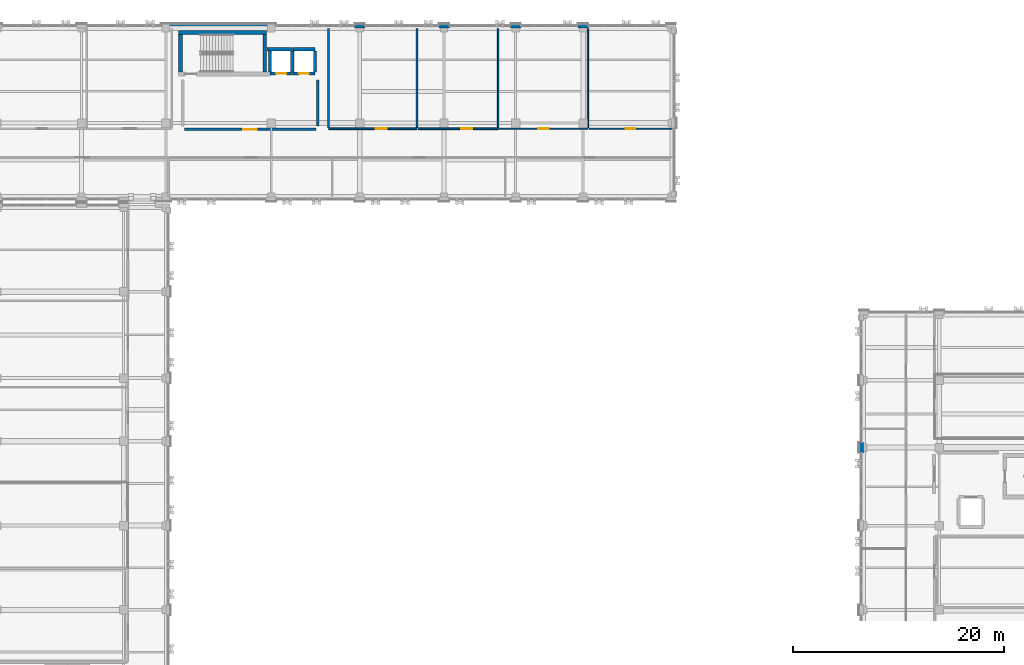
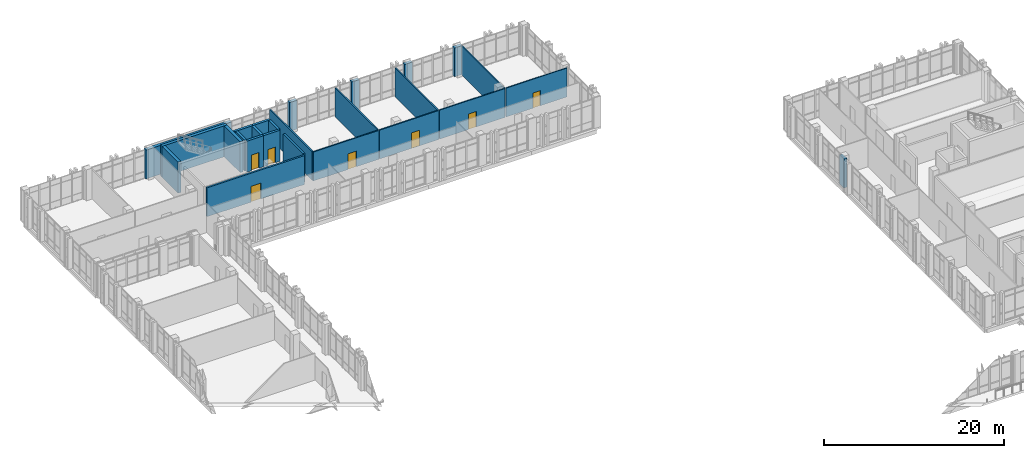
# One storey, part 134 of 158: 26 walls, 7 doors, 7 openings.
"""IFC4 building model written with IfcOpenShell, lengths in metres."""

from ifc_helpers import new_model, si_unit, direction, frame, frame_2d, origin, place, context, subcontext, project, spatial, rectangle, extrude, material, layer, layer_set, type_object, element, fill, save


model = new_model("IFC4")

# Units and contexts
model_context = context("Model", 3, precision=1e-05, world=origin(), true_north=direction((0.0, 1.0)))
body_context = subcontext(model_context, "Body", "Model", "MODEL_VIEW")
ifc_project = project(units=[si_unit("LENGTHUNIT", "METRE"), si_unit("AREAUNIT", "SQUARE_METRE"), si_unit("VOLUMEUNIT", "CUBIC_METRE"), si_unit("PLANEANGLEUNIT", "RADIAN"), si_unit("MASSUNIT", "GRAM", prefix="KILO")], contexts=[model_context])

# Site, building, storey
site_placement = place(None, origin())
site = spatial("IfcSite", under=ifc_project, at=site_placement, CompositionType="ELEMENT")
building_placement = place(site_placement, origin())
building = spatial("IfcBuilding", under=site, at=building_placement, Name="Qalavern Law Courts", CompositionType="ELEMENT")
storey_placement = place(building_placement, frame((0.0, 0.0, 18.60009765625)))
storey = spatial("IfcBuildingStorey", under=building, at=storey_placement, Name="L04", CompositionType="ELEMENT", Elevation=18.60009765625)

# Walls
ifc_material_1 = material(Name="Concrete C40/50", Category="concrete")
ifc_layer_1 = layer(ifc_material_1, 0.39990234375)
ifc_layer_set_1 = layer_set([ifc_layer_1], Name="Concrete C40/50")
wall_type_1 = type_object("IfcWallType", Name="ENV-EW-400", PredefinedType="SOLIDWALL", material=ifc_layer_set_1)
for number, where, z_axis, x_axis, name in (
    (1, (84.39990234375, 73.300048828125, 0.0), (0.0, 0.0, 1.0), (0.0, -1.0, 0.0), "V4 exterior pier wall L04 west 3"),
    (2, (58.5, 112.800048828125, 0.0), (0.0, 0.0, 1.0), (-1.0, 0.0, 0.0), "V5 exterior pier wall L04 north 2"),
    (3, (52.10009765625, 112.800048828125, 0.0), (0.0, 0.0, 1.0), (-1.0, 0.0, 0.0), "V5 exterior pier wall L04 north 3"),
    (4, (45.300048828125, 112.800048828125, 0.0), (0.0, 0.0, 1.0), (-1.0, 0.0, 0.0), "V5 exterior pier wall L04 north 4"),
    (5, (37.300048828125, 112.800048828125, 0.0), (0.0, 0.0, 1.0), (-1.0, 0.0, 0.0), "V5 exterior pier wall L04 north 5"),
):
    element("IfcWall", number, at=place(storey_placement, frame(where, z_axis=z_axis, x_axis=x_axis)), inside=storey, type_object=wall_type_1, Name=name, PredefinedType="SOLIDWALL", context=body_context, shape_type="SweptSolid", body=[
        extrude(rectangle(XDim=1.0, YDim=0.39990234375, at=frame_2d((0.5, 0.0))), origin(), (0.0, 0.0, 1.0), 3.9248046875),
    ])
wall_1_placement = place(storey_placement, frame((28.89990234375, 112.800048828125, 0.0), z_axis=(0.0, 0.0, 1.0), x_axis=(-1.0, 0.0, 0.0)))
element("IfcWall", 6, at=wall_1_placement, inside=storey, type_object=wall_type_1, Name="V5 exterior pier wall L04 north 6", PredefinedType="SOLIDWALL", context=body_context, shape_type="SweptSolid", body=[
    extrude(rectangle(XDim=11.0, YDim=0.39990234375, at=frame_2d((5.5, 0.0))), origin(), (0.0, 0.0, 1.0), 3.9248046875),
])
ifc_material_2 = material(Name="Concrete C45/55", Category="concrete")
ifc_layer_2 = layer(ifc_material_2, 0.375)
ifc_layer_set_2 = layer_set([ifc_layer_2], Name="Concrete C45/55")
wall_type_2 = type_object("IfcWallType", Name="INT-CW-375", PredefinedType="SHEAR", material=ifc_layer_set_2)
wall_2_placement = place(storey_placement, frame((27.78759765625, 108.449951171875, 0.0), z_axis=(0.0, 0.0, 1.0), x_axis=(0.0, 1.0, 0.0)))
element("IfcWall", 7, at=wall_2_placement, inside=storey, type_object=wall_type_2, Name="Core K3 stair shear wall L04 east", PredefinedType="SHEAR", context=body_context, shape_type="SweptSolid", body=[
    extrude(rectangle(XDim=3.550048828125, YDim=0.375, at=frame_2d((1.77490234375, 0.0))), origin(), (0.0, 0.0, 1.0), 4.199951171875),
])
wall_3_placement = place(storey_placement, frame((27.97509765625, 112.1875, 0.0), z_axis=(0.0, 0.0, 1.0), x_axis=(-1.0, 0.0, 0.0)))
element("IfcWall", 8, at=wall_3_placement, inside=storey, type_object=wall_type_2, Name="Core K3 stair shear wall L04 north", PredefinedType="SHEAR", context=body_context, shape_type="SweptSolid", body=[
    extrude(rectangle(XDim=8.35009765625, YDim=0.375, at=frame_2d((4.175048828125, 0.0))), origin(), (0.0, 0.0, 1.0), 4.199951171875),
])
wall_4_placement = place(storey_placement, frame((19.8125, 112.0, 0.0), z_axis=(0.0, 0.0, 1.0), x_axis=(0.0, -1.0, 0.0)))
element("IfcWall", 9, at=wall_4_placement, inside=storey, type_object=wall_type_2, Name="Core K3 stair shear wall L04 west", PredefinedType="SHEAR", context=body_context, shape_type="SweptSolid", body=[
    extrude(rectangle(XDim=3.550048828125, YDim=0.375, at=frame_2d((1.77490234375, 0.0))), origin(), (0.0, 0.0, 1.0), 4.199951171875),
])

# Wall, opening, door
ifc_layer_3 = layer(ifc_material_1, 0.22509765625)
ifc_layer_set_3 = layer_set([ifc_layer_3], Name="Concrete C40/50")
wall_type_3 = type_object("IfcWallType", Name="INT-FW-225", PredefinedType="PARTITIONING", material=ifc_layer_set_3)
wall_5_placement = place(storey_placement, frame((20.14990234375, 103.0, 0.0), z_axis=(0.0, 0.0, 1.0), x_axis=(1.0, 0.0, 0.0)))
wall_5 = element("IfcWall", 10, at=wall_5_placement, inside=storey, type_object=wall_type_3, Name="Core K3 firefighting/stair lobby fire wall L04", PredefinedType="PARTITIONING", context=body_context, shape_type="SweptSolid", body=[
    extrude(rectangle(XDim=12.5, YDim=0.22509765625, at=frame_2d((6.25, 0.0))), origin(), (0.0, 0.0, 1.0), 3.9248046875),
])
opening_1_placement = place(wall_5_placement, frame((5.60009765625, 0.0, 0.0)))
opening_1 = element("IfcOpeningElement", 11, at=opening_1_placement, cuts=wall_5, Name="Opening L04-D082", PredefinedType="OPENING", context=body_context, shape_type="SweptSolid", body=[
    extrude(rectangle(XDim=1.300048828125, YDim=2.14990234375, at=frame_2d((0.64990234375, 1.074951171875))), frame((0.0, 0.12744140625, 0.0), z_axis=(0.0, -1.0, 0.0), x_axis=(1.0, 0.0, 0.0)), (0.0, 0.0, 1.0), 0.2548828125),
])
ifc_material_3 = material(Name="Steel fire-rated frame and acoustic timber leaves", Category="steel")
door_type_1 = type_object("IfcDoorType", Name="INT-FD-1300x2150", OperationType="DOUBLE_DOOR_SINGLE_SWING", PredefinedType="DOOR", material=ifc_material_3)
door_1_placement = place(opening_1_placement, origin())
door_1 = element("IfcDoor", 12, at=door_1_placement, inside=storey, type_object=door_type_1, Name="Core K3 lobby fire door L04", OperationType="DOUBLE_DOOR_SINGLE_SWING", OverallHeight=2.14990234375, OverallWidth=1.300048828125, PredefinedType="DOOR", context=body_context, shape_type="SweptSolid", body=[
    extrude(rectangle(XDim=1.300048828125, YDim=2.14990234375, at=frame_2d((0.64990234375, 1.074951171875))), frame((0.0, 0.02490234375, 0.0), z_axis=(0.0, -1.0, 0.0), x_axis=(1.0, 0.0, 0.0)), (0.0, 0.0, 1.0), 0.050048828125),
])
fill(opening_1, door_1)

# Wall
wall_6_placement = place(storey_placement, frame((32.800048828125, 103.300048828125, 0.0), z_axis=(0.0, 0.0, 1.0), x_axis=(0.0, 1.0, 0.0)))
element("IfcWall", 13, at=wall_6_placement, inside=storey, type_object=wall_type_3, Name="Core K3 lobby return wall L04 east", PredefinedType="PARTITIONING", context=body_context, shape_type="SweptSolid", body=[
    extrude(rectangle(XDim=4.39990234375, YDim=0.22509765625, at=frame_2d((2.199951171875, 0.0))), origin(), (0.0, 0.0, 1.0), 3.9248046875),
])

# Wall, opening, door
ifc_material_4 = material(Name="Gypsum stud partition")
ifc_layer_4 = layer(ifc_material_4, 0.132080078125)
ifc_layer_set_4 = layer_set([ifc_layer_4], Name="Gypsum stud partition")
wall_type_4 = type_object("IfcWallType", Name="INT-PW-132", PredefinedType="PARTITIONING", material=ifc_layer_set_4)
wall_7_placement = place(storey_placement, frame((58.580078125, 103.06005859375, 0.0), z_axis=(0.0, 0.0, 1.0), x_axis=(1.0, 0.0, 0.0)))
wall_7 = element("IfcWall", 14, at=wall_7_placement, inside=storey, type_object=wall_type_4, Name="Staff WC corridor partition L04", PredefinedType="PARTITIONING", context=body_context, shape_type="SweptSolid", body=[
    extrude(rectangle(XDim=7.83984375, YDim=0.132080078125, at=frame_2d((3.919921875, 0.0))), origin(), (0.0, 0.0, 1.0), 3.9248046875),
])
opening_2_placement = place(wall_7_placement, frame((3.4599609375, 0.0, 0.0)))
opening_2 = element("IfcOpeningElement", 15, at=opening_2_placement, cuts=wall_7, Name="Opening L04-D386", PredefinedType="OPENING", context=body_context, shape_type="SweptSolid", body=[
    extrude(rectangle(XDim=0.919921875, YDim=2.06005859375, at=frame_2d((0.4599609375, 1.030029296875))), frame((0.0, 0.0810546875, 0.0), z_axis=(0.0, -1.0, 0.0), x_axis=(1.0, 0.0, 0.0)), (0.0, 0.0, 1.0), 0.161865234375),
])
ifc_material_5 = material(Name="Public and Staff WC door")
door_type_2 = type_object("IfcDoorType", Name="INT-ID-920x2060", OperationType="NOTDEFINED", PredefinedType="DOOR", material=ifc_material_5)
door_2_placement = place(opening_2_placement, origin())
door_2 = element("IfcDoor", 16, at=door_2_placement, inside=storey, type_object=door_type_2, Name="Staff WC door L04", OperationType="SINGLE_SWING_LEFT", OverallHeight=2.06005859375, OverallWidth=0.919921875, PredefinedType="DOOR", context=body_context, shape_type="SweptSolid", body=[
    extrude(rectangle(XDim=0.919921875, YDim=2.06005859375, at=frame_2d((0.4599609375, 1.030029296875))), frame((0.0, 0.02490234375, 0.0), z_axis=(0.0, -1.0, 0.0), x_axis=(1.0, 0.0, 0.0)), (0.0, 0.0, 1.0), 0.050048828125),
])
fill(opening_2, door_2)

ifc_layer_5 = layer(ifc_material_4, 0.14208984375)
ifc_layer_set_5 = layer_set([ifc_layer_5], Name="Gypsum stud partition")
wall_type_5 = type_object("IfcWallType", Name="INT-PW-142", PredefinedType="PARTITIONING", material=ifc_layer_set_5)
wall_8_placement = place(storey_placement, frame((50.052001953125, 103.06005859375, 0.0), z_axis=(0.0, 0.0, 1.0), x_axis=(1.0, 0.0, 0.0)))
wall_8 = element("IfcWall", 17, at=wall_8_placement, inside=storey, type_object=wall_type_5, Name="Appellate Research Suite corridor partition L04", PredefinedType="PARTITIONING", context=body_context, shape_type="SweptSolid", body=[
    extrude(rectangle(XDim=8.407958984375, YDim=0.14208984375, at=frame_2d((4.2041015625, 0.0))), origin(), (0.0, 0.0, 1.0), 3.9248046875),
])
opening_3_placement = place(wall_8_placement, frame((3.7041015625, 0.0, 0.0)))
opening_3 = element("IfcOpeningElement", 18, at=opening_3_placement, cuts=wall_8, Name="Opening L04-D385", PredefinedType="OPENING", context=body_context, shape_type="SweptSolid", body=[
    extrude(rectangle(XDim=1.0, YDim=2.10009765625, at=frame_2d((0.5, 1.050048828125))), frame((0.0, 0.0859375, 0.0), z_axis=(0.0, -1.0, 0.0), x_axis=(1.0, 0.0, 0.0)), (0.0, 0.0, 1.0), 0.171875),
])
ifc_material_6 = material(Name="Timber Judicial Clerks' Office door", Category="wood")
door_type_3 = type_object("IfcDoorType", Name="INT-ID-1000x2100", OperationType="NOTDEFINED", PredefinedType="DOOR", material=ifc_material_6)
door_3_placement = place(opening_3_placement, origin())
door_3 = element("IfcDoor", 19, at=door_3_placement, inside=storey, type_object=door_type_3, Name="Appellate Research Suite door L04", OperationType="SINGLE_SWING_RIGHT", OverallHeight=2.10009765625, OverallWidth=1.0, PredefinedType="DOOR", context=body_context, shape_type="SweptSolid", body=[
    extrude(rectangle(XDim=1.0, YDim=2.10009765625, at=frame_2d((0.5, 1.050048828125))), frame((0.0, 0.02490234375, 0.0), z_axis=(0.0, -1.0, 0.0), x_axis=(1.0, 0.0, 0.0)), (0.0, 0.0, 1.0), 0.050048828125),
])
fill(opening_3, door_3)

# Wall
wall_9_placement = place(storey_placement, frame((58.4599609375, 103.15087890625, 0.0), z_axis=(0.0, 0.0, 1.0), x_axis=(0.0, 1.0, 0.0)))
element("IfcWall", 20, at=wall_9_placement, inside=storey, type_object=wall_type_5, Name="Appellate Research Suite cross partition L04 east", PredefinedType="PARTITIONING", context=body_context, shape_type="SweptSolid", body=[
    extrude(rectangle(XDim=9.4091796875, YDim=0.14208984375, at=frame_2d((4.70458984375, 0.0))), origin(), (0.0, 0.0, 1.0), 3.9248046875),
])

# Wall, opening, door
ifc_layer_6 = layer(ifc_material_4, 0.152099609375)
ifc_layer_set_6 = layer_set([ifc_layer_6], Name="Gypsum stud partition")
wall_type_6 = type_object("IfcWallType", Name="INT-PW-152", PredefinedType="PARTITIONING", material=ifc_layer_set_6)
wall_10_placement = place(storey_placement, frame((42.35009765625, 103.06005859375, 0.0), z_axis=(0.0, 0.0, 1.0), x_axis=(1.0, 0.0, 0.0)))
wall_10 = element("IfcWall", 21, at=wall_10_placement, inside=storey, type_object=wall_type_6, Name="Judicial Clerks' Office corridor partition L04", PredefinedType="PARTITIONING", context=body_context, shape_type="SweptSolid", body=[
    extrude(rectangle(XDim=7.581787109375, YDim=0.152099609375, at=frame_2d((3.791015625, 0.0))), origin(), (0.0, 0.0, 1.0), 3.9248046875),
])
opening_4_placement = place(wall_10_placement, frame((4.075927734375, 0.0, 0.0)))
opening_4 = element("IfcOpeningElement", 22, at=opening_4_placement, cuts=wall_10, Name="Opening L04-D384", PredefinedType="OPENING", context=body_context, shape_type="SweptSolid", body=[
    extrude(rectangle(XDim=1.030029296875, YDim=2.110107421875, at=frame_2d((0.51513671875, 1.05517578125))), frame((0.0, 0.0908203125, 0.0), z_axis=(0.0, -1.0, 0.0), x_axis=(1.0, 0.0, 0.0)), (0.0, 0.0, 1.0), 0.181884765625),
])
ifc_material_7 = material(Name="Oak Mediation Suite door")
door_type_4 = type_object("IfcDoorType", Name="INT-ID-1030x2110", OperationType="NOTDEFINED", PredefinedType="DOOR", material=ifc_material_7)
door_4_placement = place(opening_4_placement, origin())
door_4 = element("IfcDoor", 23, at=door_4_placement, inside=storey, type_object=door_type_4, Name="Judicial Clerks' Office door L04", OperationType="SINGLE_SWING_LEFT", OverallHeight=2.110107421875, OverallWidth=1.030029296875, PredefinedType="DOOR", context=body_context, shape_type="SweptSolid", body=[
    extrude(rectangle(XDim=1.030029296875, YDim=2.110107421875, at=frame_2d((0.51513671875, 1.05517578125))), frame((0.0, 0.02490234375, 0.0), z_axis=(0.0, -1.0, 0.0), x_axis=(1.0, 0.0, 0.0)), (0.0, 0.0, 1.0), 0.050048828125),
])
fill(opening_4, door_4)

# Wall
wall_11_placement = place(storey_placement, frame((49.931884765625, 103.156005859375, 0.0), z_axis=(0.0, 0.0, 1.0), x_axis=(0.0, 1.0, 0.0)))
element("IfcWall", 24, at=wall_11_placement, inside=storey, type_object=wall_type_6, Name="Judicial Clerks' Office cross partition L04 east", PredefinedType="PARTITIONING", context=body_context, shape_type="SweptSolid", body=[
    extrude(rectangle(XDim=9.404052734375, YDim=0.152099609375, at=frame_2d((4.7021484375, 0.0))), origin(), (0.0, 0.0, 1.0), 3.9248046875),
])

# Wall, opening, door
ifc_layer_7 = layer(ifc_material_4, 0.162109375)
ifc_layer_set_7 = layer_set([ifc_layer_7], Name="Gypsum stud partition")
wall_type_7 = type_object("IfcWallType", Name="INT-PW-162", PredefinedType="PARTITIONING", material=ifc_layer_set_7)
wall_12_placement = place(storey_placement, frame((33.840087890625, 103.06005859375, 0.0), z_axis=(0.0, 0.0, 1.0), x_axis=(1.0, 0.0, 0.0)))
wall_12 = element("IfcWall", 25, at=wall_12_placement, inside=storey, type_object=wall_type_7, Name="Judges' Chambers corridor partition L04", PredefinedType="PARTITIONING", context=body_context, shape_type="SweptSolid", body=[
    extrude(rectangle(XDim=8.389892578125, YDim=0.162109375, at=frame_2d((4.19482421875, 0.0))), origin(), (0.0, 0.0, 1.0), 3.9248046875),
])
opening_5_placement = place(wall_12_placement, frame((4.465087890625, 0.0, 0.0)))
opening_5 = element("IfcOpeningElement", 26, at=opening_5_placement, cuts=wall_12, Name="Opening L04-D383", PredefinedType="OPENING", context=body_context, shape_type="SweptSolid", body=[
    extrude(rectangle(XDim=1.06005859375, YDim=2.1201171875, at=frame_2d((0.530029296875, 1.06005859375))), frame((0.0, 0.095947265625, 0.0), z_axis=(0.0, -1.0, 0.0), x_axis=(1.0, 0.0, 0.0)), (0.0, 0.0, 1.0), 0.19189453125),
])
ifc_material_8 = material(Name="Solid oak Trial Judges' Chambers door")
door_type_5 = type_object("IfcDoorType", Name="INT-ID-1060x2120", OperationType="NOTDEFINED", PredefinedType="DOOR", material=ifc_material_8)
door_5_placement = place(opening_5_placement, origin())
door_5 = element("IfcDoor", 27, at=door_5_placement, inside=storey, type_object=door_type_5, Name="Judges' Chambers door L04", OperationType="SINGLE_SWING_RIGHT", OverallHeight=2.1201171875, OverallWidth=1.06005859375, PredefinedType="DOOR", context=body_context, shape_type="SweptSolid", body=[
    extrude(rectangle(XDim=1.06005859375, YDim=2.1201171875, at=frame_2d((0.530029296875, 1.06005859375))), frame((0.0, 0.02490234375, 0.0), z_axis=(0.0, -1.0, 0.0), x_axis=(1.0, 0.0, 0.0)), (0.0, 0.0, 1.0), 0.050048828125),
])
fill(opening_5, door_5)

# Walls
for number, where, z_axis, x_axis, name in (
    (28, (33.840087890625, 103.160888671875, 0.0), (0.0, 0.0, 1.0), (0.0, 1.0, 0.0), "Judges' Chambers cross partition L04 west"),
    (29, (42.22998046875, 103.160888671875, 0.0), (0.0, 0.0, 1.0), (0.0, 1.0, 0.0), "Judges' Chambers cross partition L04 east"),
):
    element("IfcWall", number, at=place(storey_placement, frame(where, z_axis=z_axis, x_axis=x_axis)), inside=storey, type_object=wall_type_7, Name=name, PredefinedType="PARTITIONING", context=body_context, shape_type="SweptSolid", body=[
        extrude(rectangle(XDim=9.399169921875, YDim=0.162109375, at=frame_2d((4.69970703125, 0.0))), origin(), (0.0, 0.0, 1.0), 3.9248046875),
    ])

# Wall, opening, door
ifc_layer_8 = layer(ifc_material_2, 0.304931640625)
ifc_layer_set_8 = layer_set([ifc_layer_8], Name="Concrete C45/55")
wall_type_8 = type_object("IfcWallType", Name="INT-SW-305", PredefinedType="SHEAR", material=ifc_layer_set_8)
wall_13_placement = place(storey_placement, frame((28.297607421875, 108.297607421875, 0.0), z_axis=(0.0, 0.0, 1.0), x_axis=(1.0, 0.0, 0.0)))
wall_13 = element("IfcWall", 30, at=wall_13_placement, inside=storey, type_object=wall_type_8, Name="Lift LF-J1 shaft wall L04 south", PredefinedType="SHEAR", context=body_context, shape_type="SweptSolid", body=[
    extrude(rectangle(XDim=2.10498046875, YDim=0.304931640625, at=frame_2d((1.052490234375, 0.0))), origin(), (0.0, 0.0, 1.0), 4.199951171875),
])
opening_6_placement = place(wall_13_placement, frame((0.572509765625, 0.0, 0.0)))
opening_6 = element("IfcOpeningElement", 31, at=opening_6_placement, cuts=wall_13, Name="Opening LD-LF-J1-L04", PredefinedType="OPENING", context=body_context, shape_type="SweptSolid", body=[
    extrude(rectangle(XDim=0.9599609375, YDim=2.1201171875, at=frame_2d((0.47998046875, 1.06005859375))), frame((0.0, 0.16748046875, 0.0), z_axis=(0.0, -1.0, 0.0), x_axis=(1.0, 0.0, 0.0)), (0.0, 0.0, 1.0), 0.334716796875),
])
ifc_material_9 = material(Name="Heavy-gauge steel judicial lift sliding landing door", Category="steel")
door_type_6 = type_object("IfcDoorType", Name="INT-LD-960x2120", OperationType="SLIDING_TO_LEFT", PredefinedType="DOOR", material=ifc_material_9)
door_6_placement = place(opening_6_placement, origin())
door_6 = element("IfcDoor", 32, at=door_6_placement, inside=storey, type_object=door_type_6, Name="Lift LF-J1 sliding landing door L04", OperationType="SLIDING_TO_LEFT", OverallHeight=2.1201171875, OverallWidth=0.9599609375, PredefinedType="DOOR", context=body_context, shape_type="SweptSolid", body=[
    extrude(rectangle(XDim=0.9599609375, YDim=2.1201171875, at=frame_2d((0.47998046875, 1.06005859375))), frame((0.0, 0.02490234375, 0.0), z_axis=(0.0, -1.0, 0.0), x_axis=(1.0, 0.0, 0.0)), (0.0, 0.0, 1.0), 0.050048828125),
])
fill(opening_6, door_6)

# Walls
wall_14_placement = place(storey_placement, frame((30.402587890625, 108.449951171875, 0.0), z_axis=(0.0, 0.0, 1.0), x_axis=(0.0, 1.0, 0.0)))
element("IfcWall", 33, at=wall_14_placement, inside=storey, type_object=wall_type_8, Name="Lift LF-J1 shaft wall L04 east", PredefinedType="SHEAR", context=body_context, shape_type="SweptSolid", body=[
    extrude(rectangle(XDim=2.0, YDim=0.304931640625, at=frame_2d((1.0, 0.0))), origin(), (0.0, 0.0, 1.0), 4.199951171875),
])
wall_15_placement = place(storey_placement, frame((30.402587890625, 110.6025390625, 0.0), z_axis=(0.0, 0.0, 1.0), x_axis=(-1.0, 0.0, 0.0)))
element("IfcWall", 34, at=wall_15_placement, inside=storey, type_object=wall_type_8, Name="Lift LF-J1 shaft wall L04 north", PredefinedType="SHEAR", context=body_context, shape_type="SweptSolid", body=[
    extrude(rectangle(XDim=2.424560546875, YDim=0.304931640625, at=frame_2d((1.21240234375, 0.0))), origin(), (0.0, 0.0, 1.0), 4.199951171875),
])
wall_16_placement = place(storey_placement, frame((28.297607421875, 110.449951171875, 0.0), z_axis=(0.0, 0.0, 1.0), x_axis=(0.0, -1.0, 0.0)))
element("IfcWall", 35, at=wall_16_placement, inside=storey, type_object=wall_type_8, Name="Lift LF-J1 shaft wall L04 west", PredefinedType="SHEAR", context=body_context, shape_type="SweptSolid", body=[
    extrude(rectangle(XDim=2.0, YDim=0.304931640625, at=frame_2d((1.0, 0.0))), origin(), (0.0, 0.0, 1.0), 4.199951171875),
])

# Wall, opening, door
wall_17_placement = place(storey_placement, frame((30.447509765625, 108.297607421875, 0.0), z_axis=(0.0, 0.0, 1.0), x_axis=(1.0, 0.0, 0.0)))
wall_17 = element("IfcWall", 36, at=wall_17_placement, inside=storey, type_object=wall_type_8, Name="Lift LF-J2 shaft wall L04 south", PredefinedType="SHEAR", context=body_context, shape_type="SweptSolid", body=[
    extrude(rectangle(XDim=2.10498046875, YDim=0.304931640625, at=frame_2d((1.052490234375, 0.0))), origin(), (0.0, 0.0, 1.0), 4.199951171875),
])
opening_7_placement = place(wall_17_placement, frame((0.572509765625, 0.0, 0.0)))
opening_7 = element("IfcOpeningElement", 37, at=opening_7_placement, cuts=wall_17, Name="Opening LD-LF-J2-L04", PredefinedType="OPENING", context=body_context, shape_type="SweptSolid", body=[
    extrude(rectangle(XDim=0.9599609375, YDim=2.1201171875, at=frame_2d((0.47998046875, 1.06005859375))), frame((0.0, 0.16748046875, 0.0), z_axis=(0.0, -1.0, 0.0), x_axis=(1.0, 0.0, 0.0)), (0.0, 0.0, 1.0), 0.334716796875),
])
door_7_placement = place(opening_7_placement, origin())
door_7 = element("IfcDoor", 38, at=door_7_placement, inside=storey, type_object=door_type_6, Name="Lift LF-J2 sliding landing door L04", OperationType="SLIDING_TO_LEFT", OverallHeight=2.1201171875, OverallWidth=0.9599609375, PredefinedType="DOOR", context=body_context, shape_type="SweptSolid", body=[
    extrude(rectangle(XDim=0.9599609375, YDim=2.1201171875, at=frame_2d((0.47998046875, 1.06005859375))), frame((0.0, 0.02490234375, 0.0), z_axis=(0.0, -1.0, 0.0), x_axis=(1.0, 0.0, 0.0)), (0.0, 0.0, 1.0), 0.050048828125),
])
fill(opening_7, door_7)

# Walls
wall_18_placement = place(storey_placement, frame((32.552490234375, 108.449951171875, 0.0), z_axis=(0.0, 0.0, 1.0), x_axis=(0.0, 1.0, 0.0)))
element("IfcWall", 39, at=wall_18_placement, inside=storey, type_object=wall_type_8, Name="Lift LF-J2 shaft wall L04 east", PredefinedType="SHEAR", context=body_context, shape_type="SweptSolid", body=[
    extrude(rectangle(XDim=2.0, YDim=0.304931640625, at=frame_2d((1.0, 0.0))), origin(), (0.0, 0.0, 1.0), 4.199951171875),
])
wall_19_placement = place(storey_placement, frame((32.552490234375, 110.6025390625, 0.0), z_axis=(0.0, 0.0, 1.0), x_axis=(-1.0, 0.0, 0.0)))
element("IfcWall", 40, at=wall_19_placement, inside=storey, type_object=wall_type_8, Name="Lift LF-J2 shaft wall L04 north", PredefinedType="SHEAR", context=body_context, shape_type="SweptSolid", body=[
    extrude(rectangle(XDim=2.10498046875, YDim=0.304931640625, at=frame_2d((1.052490234375, 0.0))), origin(), (0.0, 0.0, 1.0), 4.199951171875),
])

save(model, "model.ifc")
